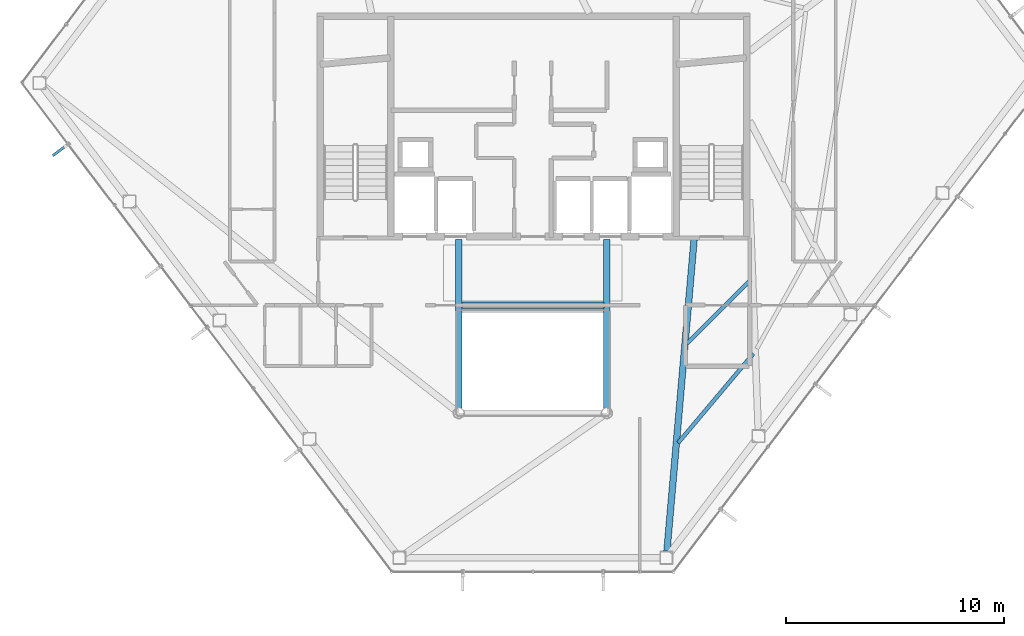
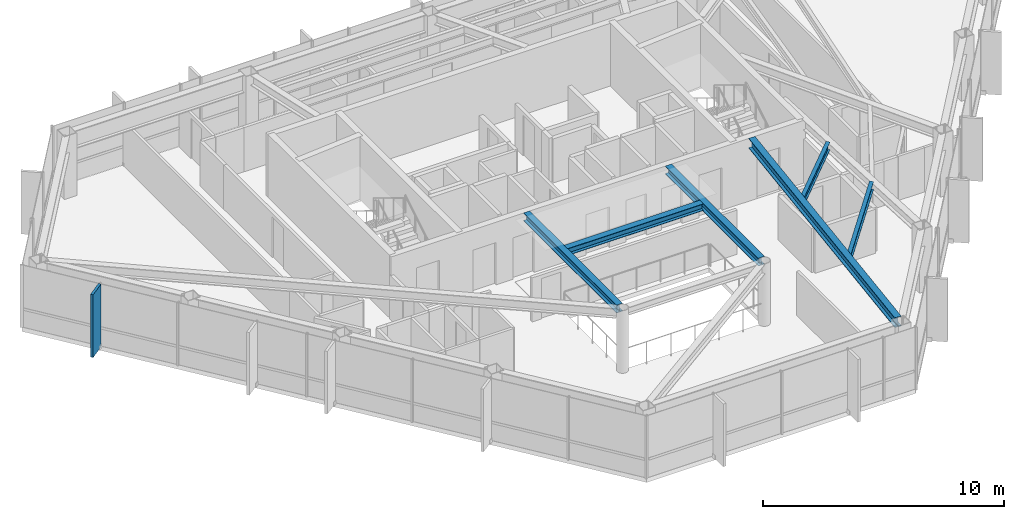
# One storey, part 8 of 25: 6 beams, 1 member, 1 element without a shape of its own.
"""IFC4 building model written with IfcOpenShell, lengths in metres."""

from ifc_helpers import new_model, si_unit, direction, frame, origin, origin_2d, place, context, subcontext, project, spatial, rectangle, i_section, extrude, material, layer, layer_set, material_profile, profile_set, type_object, element, aggregate, save


model = new_model("IFC4")

# Units and contexts
model_context = context("Model", 3, precision=1e-05, world=origin(), true_north=direction((0.0, 1.0)))
body_context = subcontext(model_context, "Body", "Model", "MODEL_VIEW")
ifc_project = project(units=[si_unit("LENGTHUNIT", "METRE"), si_unit("AREAUNIT", "SQUARE_METRE"), si_unit("VOLUMEUNIT", "CUBIC_METRE"), si_unit("PLANEANGLEUNIT", "RADIAN"), si_unit("MASSUNIT", "GRAM", prefix="KILO")], contexts=[model_context])

# Site, building, storey
site_placement = place(None, origin())
site = spatial("IfcSite", under=ifc_project, at=site_placement, CompositionType="ELEMENT")
building_placement = place(site_placement, origin())
building = spatial("IfcBuilding", under=site, at=building_placement, Name="Zarrinselat Tower", CompositionType="ELEMENT")
storey_placement = place(building_placement, frame((0.0, 0.0, 212.159912109375)))
storey = spatial("IfcBuildingStorey", under=building, at=storey_placement, Name="L52", CompositionType="ELEMENT", Elevation=212.159912109375)

# Beams
ifc_material_1 = material(Name="Steel S355J2", Category="steel")
ifc_material_profile_1 = material_profile(ifc_material_1, i_section(OverallWidth=0.300048828125, OverallDepth=0.35009765625, WebThickness=0.010009765625, FlangeThickness=0.017578125, at=origin_2d()), Name="HEA 360")
ifc_profile_set_1 = profile_set([ifc_material_profile_1], Name="Steel S355J2")
beam_type_1 = type_object("IfcBeamType", Name="BM-HEA360", PredefinedType="LINTEL", material=ifc_profile_set_1)
beam_1_placement = place(storey_placement, frame((35.139892578125, 30.14990234375, 3.005126953125), z_axis=(1.0, 0.0, 0.0), x_axis=(0.0, 1.0, 0.0)))
element("IfcBeam", 1, at=beam_1_placement, inside=storey, type_object=beam_type_1, Name="L52 Lift Lobby Ceiling Beam", PredefinedType="LINTEL", context=body_context, shape_type="SweptSolid", body=[
    extrude(i_section(OverallWidth=0.300048828125, OverallDepth=0.35009765625, WebThickness=0.010009765625, FlangeThickness=0.017578125, at=origin_2d()), origin(), (0.0, 0.0, 1.0), 6.52001953125),
])
ifc_material_2 = material(Name="Steel S355J2", Category="steel")
ifc_material_profile_2 = material_profile(ifc_material_2, i_section(OverallWidth=0.300048828125, OverallDepth=0.39990234375, WebThickness=0.013427734375, FlangeThickness=0.02392578125, at=origin_2d()), Name="HEB 400")
ifc_profile_set_2 = profile_set([ifc_material_profile_2], Name="Steel S355J2")
beam_type_2 = type_object("IfcBeamType", Name="BM-HEB400", PredefinedType="BEAM", material=ifc_profile_set_2)
for number, where, z_axis, x_axis, name in (
    (2, (35.0, 25.43994140625, 2.97998046875), (0.0, 1.0, 0.0), (-1.0, 0.0, 0.0), "L52 Atrium Edge Beam W"),
    (3, (41.800048828125, 25.43994140625, 2.97998046875), (0.0, 1.0, 0.0), (-1.0, 0.0, 0.0), "L52 Atrium Edge Beam E"),
):
    element("IfcBeam", number, at=place(storey_placement, frame(where, z_axis=z_axis, x_axis=x_axis)), inside=storey, type_object=beam_type_2, Name=name, PredefinedType="BEAM", context=body_context, shape_type="SweptSolid", body=[
        extrude(i_section(OverallWidth=0.300048828125, OverallDepth=0.39990234375, WebThickness=0.013427734375, FlangeThickness=0.02392578125, at=origin_2d()), origin(), (0.0, 0.0, 1.0), 7.719970703125),
    ])
ifc_material_3 = material(Name="Steel S355J2", Category="steel")
ifc_material_profile_3 = material_profile(ifc_material_3, i_section(OverallWidth=0.300048828125, OverallDepth=0.5, WebThickness=0.014404296875, FlangeThickness=0.028076171875, at=origin_2d()), Name="HEB 500")
ifc_profile_set_3 = profile_set([ifc_material_profile_3], Name="Steel S355J2")
beam_type_3 = type_object("IfcBeamType", Name="BM-HEB500", PredefinedType="BEAM", material=ifc_profile_set_3)
beam_2_placement = place(storey_placement, frame((44.55224609375, 18.861328125, 2.93017578125), z_axis=(0.086937161169, 0.996213797339, 0.0), x_axis=(-0.996213797339, 0.086937161169, 0.0)))
element("IfcBeam", 4, at=beam_2_placement, inside=storey, type_object=beam_type_3, Name="L52 Radial Primary Girder RG11", PredefinedType="BEAM", context=body_context, shape_type="SweptSolid", body=[
    extrude(i_section(OverallWidth=0.300048828125, OverallDepth=0.5, WebThickness=0.014404296875, FlangeThickness=0.028076171875, at=origin_2d()), origin(), (0.0, 0.0, 1.0), 14.35302734375),
])
ifc_material_4 = material(Name="Steel S355J2", Category="steel")
ifc_material_profile_4 = material_profile(ifc_material_4, i_section(OverallWidth=0.179931640625, OverallDepth=0.39990234375, WebThickness=0.008544921875, FlangeThickness=0.013427734375, at=origin_2d()), Name="IPE 400")
ifc_profile_set_4 = profile_set([ifc_material_profile_4], Name="Steel S355J2")
beam_type_4 = type_object("IfcBeamType", Name="BM-IPE400", PredefinedType="JOIST", material=ifc_profile_set_4)
beam_3_placement = place(storey_placement, frame((45.066650390625, 23.830078125, 2.97998046875), z_axis=(0.644559631843, 0.7645540406, 0.0), x_axis=(-0.7645540406, 0.644559631843, 0.0)))
element("IfcBeam", 5, at=beam_3_placement, inside=storey, type_object=beam_type_4, Name="L52 Composite Floor Joist 3-1", PredefinedType="JOIST", context=body_context, shape_type="SweptSolid", body=[
    extrude(i_section(OverallWidth=0.179931640625, OverallDepth=0.39990234375, WebThickness=0.008544921875, FlangeThickness=0.013427734375, at=origin_2d()), origin(), (0.0, 0.0, 1.0), 5.35498046875),
])
beam_4_placement = place(storey_placement, frame((45.474609375, 28.3974609375, 2.97998046875), z_axis=(0.706632292649, 0.707580951542, 0.0), x_axis=(-0.707580951542, 0.706632292649, 0.0)))
element("IfcBeam", 6, at=beam_4_placement, inside=storey, type_object=beam_type_4, Name="L52 Composite Floor Joist 3-2", PredefinedType="JOIST", context=body_context, shape_type="SweptSolid", body=[
    extrude(i_section(OverallWidth=0.179931640625, OverallDepth=0.39990234375, WebThickness=0.008544921875, FlangeThickness=0.013427734375, at=origin_2d()), origin(), (0.0, 0.0, 1.0), 4.11767578125),
])

# Curtain wall, member
ifc_material_5 = material(Name="Extruded Aluminium Alloy EN AW-6063 T6", Category="aluminium")
ifc_layer = layer(ifc_material_5, 0.169921875)
ifc_layer_set = layer_set([ifc_layer], Name="Extruded Aluminium Alloy EN AW-6063 T6")
curtain_wall_type = type_object("IfcCurtainWallType", Name="CWS-RES", PredefinedType="NOTDEFINED", material=ifc_layer_set)
curtain_wall_placement = place(storey_placement, origin())
curtain_wall = element("IfcCurtainWall", 7, at=curtain_wall_placement, inside=storey, type_object=curtain_wall_type, Name="L52 Unitised Curtain Wall CW-L52-E03", PredefinedType="NOTDEFINED")
ifc_material_6 = material(Name="Honed Cream Travertine Stone", Category="masonry")
ifc_material_profile_5 = material_profile(ifc_material_6, rectangle(XDim=0.1201171875, YDim=0.85009765625, at=origin_2d()), Name="FIN 850x120")
ifc_profile_set_5 = profile_set([ifc_material_profile_5], Name="Honed Cream Travertine Stone")
member_type = type_object("IfcMemberType", Name="MEM-STONE-FIN", PredefinedType="USERDEFINED", material=ifc_profile_set_5)
member_placement = place(storey_placement, frame((16.711669921875, 37.2646484375, 0.0), z_axis=(0.0, 0.0, 1.0), x_axis=(-0.603858850791, 0.797091267247, 0.0)))
member = element("IfcMember", 8, at=member_placement, type_object=member_type, Name="L52 Stone Shading Fin CW-L52-E03-01", ObjectType="FIN", PredefinedType="USERDEFINED", context=body_context, shape_type="SweptSolid", body=[
    extrude(rectangle(XDim=0.1201171875, YDim=0.85009765625, at=origin_2d()), origin(), (0.0, 0.0, 1.0), 3.18017578125),
])
aggregate(curtain_wall, [member])

save(model, "model.ifc")
